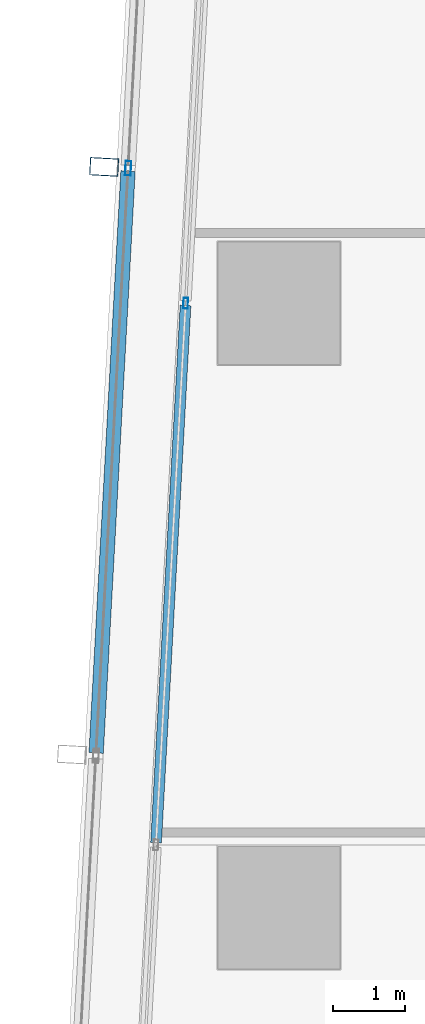
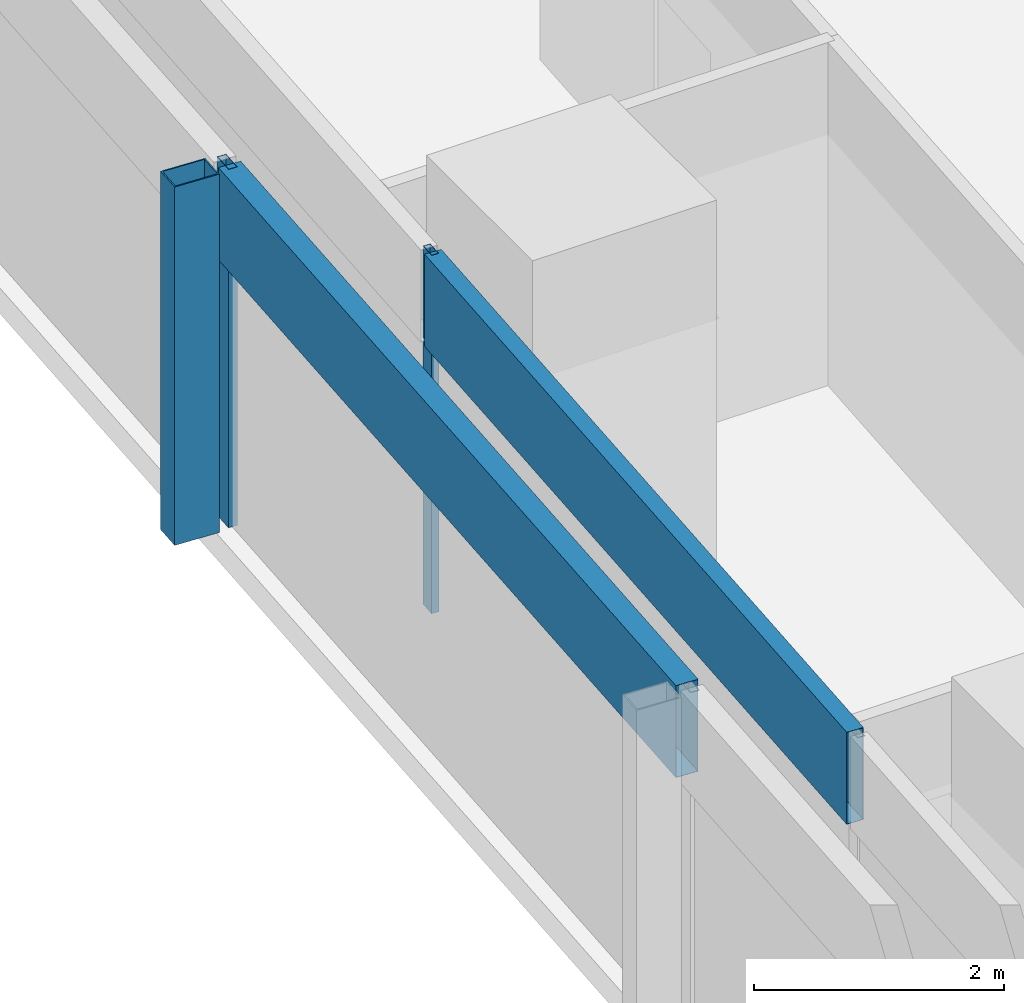
# One storey, part 14 of 40: 5 members, 2 elements without a shape of their own.
"""IFC4 building model written with IfcOpenShell, lengths in metres."""

from ifc_helpers import new_model, si_unit, direction, frame, origin, origin_2d, place, context, subcontext, project, spatial, hollow_rectangle, extrude, material, material_profile, profile_set, type_object, element, aggregate, save


model = new_model("IFC4")

# Units and contexts
model_context = context("Model", 3, precision=1e-05, world=origin(), true_north=direction((0.0, 1.0)))
body_context = subcontext(model_context, "Body", "Model", "MODEL_VIEW")
ifc_project = project(units=[si_unit("LENGTHUNIT", "METRE"), si_unit("AREAUNIT", "SQUARE_METRE"), si_unit("VOLUMEUNIT", "CUBIC_METRE"), si_unit("PLANEANGLEUNIT", "RADIAN"), si_unit("MASSUNIT", "GRAM", prefix="KILO")], contexts=[model_context])

# Site, building, storey
site_placement = place(None, origin())
site = spatial("IfcSite", under=ifc_project, at=site_placement, CompositionType="ELEMENT")
building_placement = place(site_placement, origin())
building = spatial("IfcBuilding", under=site, at=building_placement, Name="Rekha Terrace Tower", CompositionType="ELEMENT")
storey_placement = place(building_placement, frame((0.0, 0.0, 125.300048828125)))
storey = spatial("IfcBuildingStorey", under=building, at=storey_placement, Name="L31", CompositionType="ELEMENT", Elevation=125.300048828125)

# Curtain wall, member
ifc_material_1 = material(Name="Aluminium framing", Category="aluminium")
curtain_wall_type_1 = type_object("IfcCurtainWallType", Name="CW2 double skin outer glazing", PredefinedType="USERDEFINED", material=ifc_material_1)
curtain_wall_1_placement = place(storey_placement, origin())
curtain_wall_1 = element("IfcCurtainWall", 1, at=curtain_wall_1_placement, inside=storey, type_object=curtain_wall_type_1, Name="CW2 double skin outer glazing", ObjectType="DOUBLE SKIN OUTER GLAZING", PredefinedType="USERDEFINED")
ifc_material_2 = material(Name="Steel S355 with fluorocarbon finish", Category="steel")
ifc_material_profile_1 = material_profile(ifc_material_2, hollow_rectangle(XDim=0.25, YDim=0.39990234375, WallThickness=0.012451171875, at=origin_2d()), Name="RHS400x250x12.5")
ifc_profile_set_1 = profile_set([ifc_material_profile_1], Name="Steel S355 with fluorocarbon finish")
member_type_1 = type_object("IfcMemberType", Name="BL1 facade blade RHS 400 x 250", PredefinedType="USERDEFINED", material=ifc_profile_set_1)
member_1_placement = place(storey_placement, frame((5.969482421875, 52.29638671875, 0.0), z_axis=(0.0, 0.0, 1.0), x_axis=(-0.054742798353, -0.998500488747, 0.0)))
member_1 = element("IfcMember", 2, at=member_1_placement, type_object=member_type_1, Name="Facade blade", ObjectType="FACADE BLADE", PredefinedType="USERDEFINED", context=body_context, shape_type="SweptSolid", body=[
    extrude(hollow_rectangle(XDim=0.25, YDim=0.39990234375, WallThickness=0.012451171875, at=origin_2d()), origin(), (0.0, 0.0, 1.0), 3.5),
])

# Curtain wall, members
curtain_wall_type_2 = type_object("IfcCurtainWallType", Name="CW1 double skin inner glazing", PredefinedType="USERDEFINED", material=ifc_material_1)
curtain_wall_2_placement = place(storey_placement, origin())
curtain_wall_2 = element("IfcCurtainWall", 3, at=curtain_wall_2_placement, inside=storey, type_object=curtain_wall_type_2, Name="CW1 double skin inner glazing", ObjectType="DOUBLE SKIN INNER GLAZING", PredefinedType="USERDEFINED")
ifc_material_3 = material(Name="Aluminium mullion section", Category="aluminium")
ifc_material_profile_2 = material_profile(ifc_material_3, hollow_rectangle(XDim=0.06494140625, YDim=0.14990234375, WallThickness=0.00390625, at=origin_2d()), Name="AL RHS 65x150")
ifc_profile_set_2 = profile_set([ifc_material_profile_2], Name="Aluminium mullion section")
member_type_2 = type_object("IfcMemberType", Name="CW1 mullion RHS 65 x 150", PredefinedType="MULLION", material=ifc_profile_set_2)
member_2_placement = place(storey_placement, frame((7.1025390625, 50.40234375, 0.0), z_axis=(0.0, 0.0, 1.0), x_axis=(0.99850051318, -0.054742352707, 0.0)))
member_2 = element("IfcMember", 4, at=member_2_placement, type_object=member_type_2, Name="CW1 mullion 2", PredefinedType="MULLION", context=body_context, shape_type="SweptSolid", body=[
    extrude(hollow_rectangle(XDim=0.06494140625, YDim=0.14990234375, WallThickness=0.00390625, at=origin_2d()), origin(), (0.0, 0.0, 1.0), 3.5),
])
ifc_material_4 = material(Name="Insulated aluminium spandrel box", Category="aluminium")
ifc_material_profile_3 = material_profile(ifc_material_4, hollow_rectangle(XDim=0.14990234375, YDim=0.89990234375, WallThickness=0.0029296875, at=origin_2d()), Name="AL SPANDREL BOX 150x900")
ifc_profile_set_3 = profile_set([ifc_material_profile_3], Name="Insulated aluminium spandrel box")
member_type_3 = type_object("IfcMemberType", Name="CW1 spandrel transom 150 x 900", PredefinedType="USERDEFINED", material=ifc_profile_set_3)
member_3_placement = place(storey_placement, frame((7.100830078125, 50.369873046875, 3.050048828125), z_axis=(-0.054764629515, -0.998499291614, 0.0), x_axis=(0.998499291614, -0.054764629515, 0.0)))
member_3 = element("IfcMember", 5, at=member_3_placement, type_object=member_type_3, Name="CW1 spandrel transom 2", ObjectType="TRANSOM", PredefinedType="USERDEFINED", context=body_context, shape_type="SweptSolid", body=[
    extrude(hollow_rectangle(XDim=0.14990234375, YDim=0.89990234375, WallThickness=0.0029296875, at=origin_2d()), origin(), (0.0, 0.0, 1.0), 7.47607421875),
])
aggregate(curtain_wall_2, [member_2, member_3])

# Member
ifc_material_profile_4 = material_profile(ifc_material_3, hollow_rectangle(XDim=0.080078125, YDim=0.199951171875, WallThickness=0.00390625, at=origin_2d()), Name="AL RHS 80x200")
ifc_profile_set_4 = profile_set([ifc_material_profile_4], Name="Aluminium mullion section")
member_type_4 = type_object("IfcMemberType", Name="CW2 mullion RHS 80 x 200", PredefinedType="MULLION", material=ifc_profile_set_4)
member_4_placement = place(storey_placement, frame((6.303955078125, 52.278076171875, 0.0), z_axis=(0.0, 0.0, 1.0), x_axis=(0.99850051318, -0.054742352707, 0.0)))
member_4 = element("IfcMember", 6, at=member_4_placement, type_object=member_type_4, Name="CW2 mullion 2", PredefinedType="MULLION", context=body_context, shape_type="SweptSolid", body=[
    extrude(hollow_rectangle(XDim=0.080078125, YDim=0.199951171875, WallThickness=0.00390625, at=origin_2d()), origin(), (0.0, 0.0, 1.0), 3.5),
])

ifc_material_profile_5 = material_profile(ifc_material_4, hollow_rectangle(XDim=0.199951171875, YDim=0.89990234375, WallThickness=0.0029296875, at=origin_2d()), Name="AL SPANDREL BOX 200x900")
ifc_profile_set_5 = profile_set([ifc_material_profile_5], Name="Insulated aluminium spandrel box")
member_type_5 = type_object("IfcMemberType", Name="CW2 spandrel transom 200 x 900", PredefinedType="USERDEFINED", material=ifc_profile_set_5)
member_5_placement = place(storey_placement, frame((6.3017578125, 52.23828125, 3.050048828125), z_axis=(-0.054735499102, -0.998500888902, 0.0), x_axis=(0.998500888902, -0.054735499102, 0.0)))
member_5 = element("IfcMember", 7, at=member_5_placement, type_object=member_type_5, Name="CW2 spandrel transom 2", ObjectType="TRANSOM", PredefinedType="USERDEFINED", context=body_context, shape_type="SweptSolid", body=[
    extrude(hollow_rectangle(XDim=0.199951171875, YDim=0.89990234375, WallThickness=0.0029296875, at=origin_2d()), origin(), (0.0, 0.0, 1.0), 8.10009765625),
])

aggregate(curtain_wall_1, [member_4, member_5, member_1])

save(model, "model.ifc")
